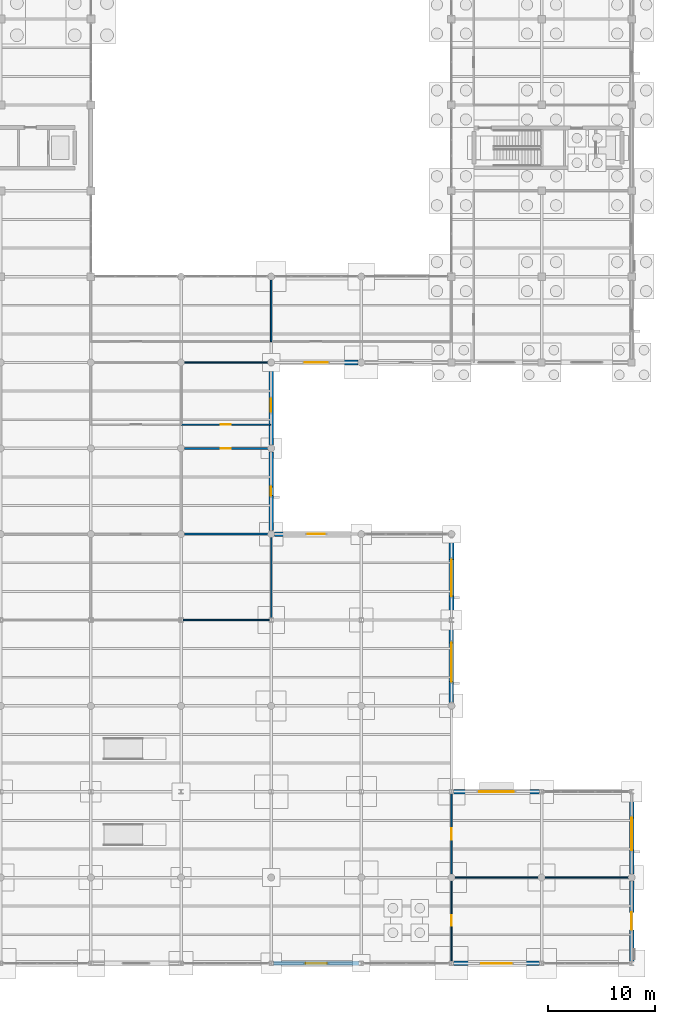
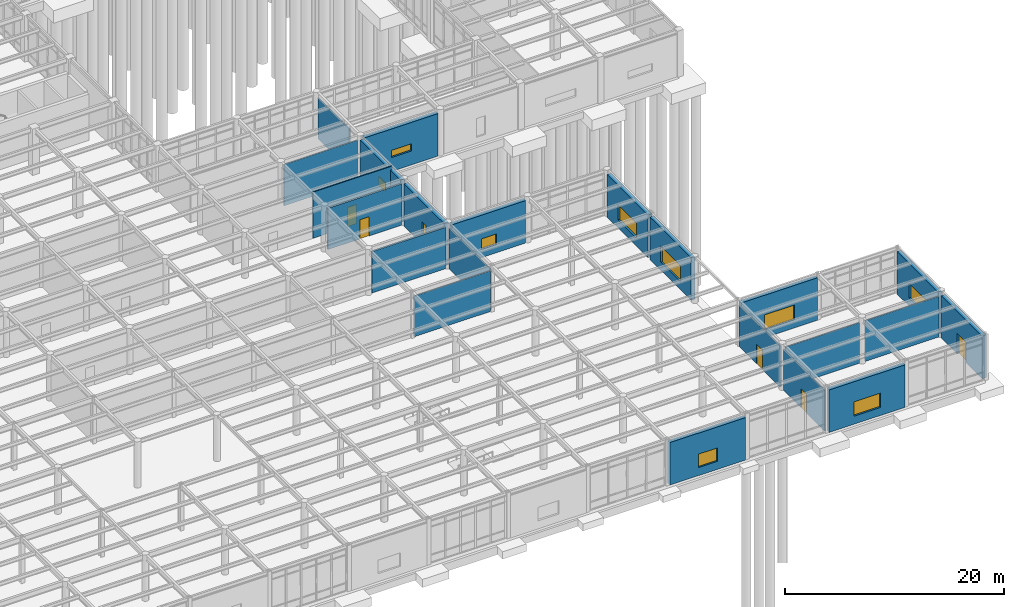
# One storey, part 84 of 138: 22 walls, 10 windows, 5 doors, 15 openings.
"""IFC4 building model written with IfcOpenShell, lengths in metres."""

from ifc_helpers import new_model, si_unit, direction, frame, frame_2d, origin, place, context, subcontext, project, spatial, rectangle, extrude, material, layer, layer_set, type_object, element, fill, save


model = new_model("IFC4")

# Units and contexts
model_context = context("Model", 3, precision=1e-05, world=origin(), true_north=direction((0.0, 1.0)))
body_context = subcontext(model_context, "Body", "Model", "MODEL_VIEW")
ifc_project = project(units=[si_unit("LENGTHUNIT", "METRE"), si_unit("AREAUNIT", "SQUARE_METRE"), si_unit("VOLUMEUNIT", "CUBIC_METRE"), si_unit("PLANEANGLEUNIT", "RADIAN"), si_unit("MASSUNIT", "GRAM", prefix="KILO")], contexts=[model_context])

# Site, building, storey
site_placement = place(None, origin())
site = spatial("IfcSite", under=ifc_project, at=site_placement, CompositionType="ELEMENT")
building_placement = place(site_placement, origin())
building = spatial("IfcBuilding", under=site, at=building_placement, Name="Kranzveld Transit Interchange", CompositionType="ELEMENT")
storey_placement = place(building_placement, origin())
storey = spatial("IfcBuildingStorey", under=building, at=storey_placement, Name="L00", CompositionType="ELEMENT", Elevation=0.0)

# Wall, opening, window
ifc_material_1 = material(Name="Dark Pretoria clinker clay plinth brick, 40 MPa", Category="masonry")
ifc_layer_1 = layer(ifc_material_1, 0.409912109375)
ifc_layer_set_1 = layer_set([ifc_layer_1], Name="Dark Pretoria clinker clay plinth brick, 40 MPa")
wall_type_1 = type_object("IfcWallType", Name="Exterior Arcade Wall Dark Clinker 410", PredefinedType="SOLIDWALL", material=ifc_layer_set_1)
wall_1_placement = place(storey_placement, frame((134.39990234375, 48.324951171875, 0.0), z_axis=(0.0, 0.0, 1.0), x_axis=(0.0, 1.0, 0.0)))
wall_1 = element("IfcWall", 1, at=wall_1_placement, inside=storey, type_object=wall_type_1, Name="L00 Clinker Facade Wall 17/G-17/H", PredefinedType="SOLIDWALL", context=body_context, shape_type="SweptSolid", body=[
    extrude(rectangle(XDim=7.35009765625, YDim=0.409912109375, at=frame_2d((3.675048828125, 0.0))), origin(), (0.0, 0.0, 1.0), 4.747314453125),
])
opening_1_placement = place(wall_1_placement, frame((3.074951171875, 0.0, 1.550048828125), z_axis=(0.0, 0.0, 1.0), x_axis=(1.0, 0.0, 0.0)))
opening_1 = element("IfcOpeningElement", 2, at=opening_1_placement, cuts=wall_1, Name="Opening W-19", PredefinedType="OPENING", context=body_context, shape_type="SweptSolid", body=[
    extrude(rectangle(XDim=1.199951171875, YDim=0.949951171875, at=frame_2d((0.60009765625, 0.47509765625))), frame((0.0, 0.21484375, 0.0), z_axis=(0.0, -1.0, 0.0), x_axis=(1.0, 0.0, 0.0)), (0.0, 0.0, 1.0), 0.429931640625),
])
ifc_material_2 = material(Name="Solar-control double glazing", Category="glass")
window_type_1 = type_object("IfcWindowType", Name="Window Sanitary Frosted 1200x950", PartitioningType="SINGLE_PANEL", PredefinedType="WINDOW", material=ifc_material_2)
window_1_placement = place(opening_1_placement, origin())
window_1 = element("IfcWindow", 3, at=window_1_placement, inside=storey, type_object=window_type_1, Name="L00 Facade Window 17/G", OverallHeight=0.949951171875, OverallWidth=1.199951171875, PartitioningType="SINGLE_PANEL", PredefinedType="WINDOW", context=body_context, shape_type="SweptSolid", body=[
    extrude(rectangle(XDim=1.199951171875, YDim=0.949951171875, at=frame_2d((0.60009765625, 0.47509765625))), frame((0.0, 0.030029296875, 0.0), z_axis=(0.0, -1.0, 0.0), x_axis=(1.0, 0.0, 0.0)), (0.0, 0.0, 1.0), 0.06005859375),
])
fill(opening_1, window_1)

wall_2_placement = place(storey_placement, frame((151.199951171875, 24.324951171875, 0.0), z_axis=(0.0, 0.0, 1.0), x_axis=(0.0, 1.0, 0.0)))
wall_2 = element("IfcWall", 4, at=wall_2_placement, inside=storey, type_object=wall_type_1, Name="L00 Clinker Facade Wall 19/D-19/E", PredefinedType="SOLIDWALL", context=body_context, shape_type="SweptSolid", body=[
    extrude(rectangle(XDim=7.478271484375, YDim=0.409912109375, at=frame_2d((3.7392578125, 0.0))), origin(), (0.0, 0.0, 1.0), 4.747314453125),
])
opening_2_placement = place(wall_2_placement, frame((1.939208984375, 0.0, 0.89990234375), z_axis=(0.0, 0.0, 1.0), x_axis=(1.0, 0.0, 0.0)))
opening_2 = element("IfcOpeningElement", 5, at=opening_2_placement, cuts=wall_2, Name="Opening W-01", PredefinedType="OPENING", context=body_context, shape_type="SweptSolid", body=[
    extrude(rectangle(XDim=3.60009765625, YDim=1.800048828125, at=frame_2d((1.800048828125, 0.89990234375))), frame((0.0, 0.21484375, 0.0), z_axis=(0.0, -1.0, 0.0), x_axis=(1.0, 0.0, 0.0)), (0.0, 0.0, 1.0), 0.429931640625),
])
ifc_material_3 = material(Name="Solar-control double glazing", Category="glass")
window_type_2 = type_object("IfcWindowType", Name="Window Ribbon Triple 3600x1800", PartitioningType="TRIPLE_PANEL_VERTICAL", PredefinedType="WINDOW", material=ifc_material_3)
window_2_placement = place(opening_2_placement, origin())
window_2 = element("IfcWindow", 6, at=window_2_placement, inside=storey, type_object=window_type_2, Name="L00 Facade Window 19/D", OverallHeight=1.800048828125, OverallWidth=3.60009765625, PartitioningType="TRIPLE_PANEL_VERTICAL", PredefinedType="WINDOW", context=body_context, shape_type="SweptSolid", body=[
    extrude(rectangle(XDim=3.60009765625, YDim=1.800048828125, at=frame_2d((1.800048828125, 0.89990234375))), frame((0.0, 0.030029296875, 0.0), z_axis=(0.0, -1.0, 0.0), x_axis=(1.0, 0.0, 0.0)), (0.0, 0.0, 1.0), 0.06005859375),
])
fill(opening_2, window_2)

wall_3_placement = place(storey_placement, frame((151.3994140625, 16.0, 0.0), z_axis=(0.0, 0.0, 1.0), x_axis=(1.0, 0.0, 0.0)))
wall_3 = element("IfcWall", 7, at=wall_3_placement, inside=storey, type_object=wall_type_1, Name="L00 Clinker Facade Wall 19/C-20/C", PredefinedType="SOLIDWALL", context=body_context, shape_type="SweptSolid", body=[
    extrude(rectangle(XDim=8.0009765625, YDim=0.409912109375, at=frame_2d((4.00048828125, 0.0))), origin(), (0.0, 0.0, 1.0), 4.740478515625),
])
opening_3_placement = place(wall_3_placement, frame((2.400390625, 0.0, 0.89990234375), z_axis=(0.0, 0.0, 1.0), x_axis=(1.0, 0.0, 0.0)))
opening_3 = element("IfcOpeningElement", 8, at=opening_3_placement, cuts=wall_3, Name="Opening W-03", PredefinedType="OPENING", context=body_context, shape_type="SweptSolid", body=[
    extrude(rectangle(XDim=3.199951171875, YDim=1.64990234375, at=frame_2d((1.60009765625, 0.824951171875))), frame((0.0, 0.21484375, 0.0), z_axis=(0.0, -1.0, 0.0), x_axis=(1.0, 0.0, 0.0)), (0.0, 0.0, 1.0), 0.429931640625),
])
ifc_material_4 = material(Name="Solar-control double glazing", Category="glass")
window_type_3 = type_object("IfcWindowType", Name="Window Ribbon Triple 3200x1650", PartitioningType="TRIPLE_PANEL_VERTICAL", PredefinedType="WINDOW", material=ifc_material_4)
window_3_placement = place(opening_3_placement, origin())
window_3 = element("IfcWindow", 9, at=window_3_placement, inside=storey, type_object=window_type_3, Name="L00 Facade Window 19/C", OverallHeight=1.64990234375, OverallWidth=3.199951171875, PartitioningType="TRIPLE_PANEL_VERTICAL", PredefinedType="WINDOW", context=body_context, shape_type="SweptSolid", body=[
    extrude(rectangle(XDim=3.199951171875, YDim=1.64990234375, at=frame_2d((1.60009765625, 0.824951171875))), frame((0.0, 0.030029296875, 0.0), z_axis=(0.0, -1.0, 0.0), x_axis=(1.0, 0.0, 0.0)), (0.0, 0.0, 1.0), 0.06005859375),
])
fill(opening_3, window_3)

wall_4_placement = place(storey_placement, frame((168.0, 8.324951171875, 0.0), z_axis=(0.0, 0.0, 1.0), x_axis=(0.0, 1.0, 0.0)))
wall_4 = element("IfcWall", 10, at=wall_4_placement, inside=storey, type_object=wall_type_1, Name="L00 Clinker Facade Wall 21/B-21/C", PredefinedType="SOLIDWALL", context=body_context, shape_type="SweptSolid", body=[
    extrude(rectangle(XDim=7.478271484375, YDim=0.409912109375, at=frame_2d((3.7392578125, 0.0))), origin(), (0.0, 0.0, 1.0), 4.747314453125),
])
opening_4_placement = place(wall_4_placement, frame((2.239013671875, 0.0, 0.89990234375), z_axis=(0.0, 0.0, 1.0), x_axis=(1.0, 0.0, 0.0)))
opening_4 = element("IfcOpeningElement", 11, at=opening_4_placement, cuts=wall_4, Name="Opening W-04", PredefinedType="OPENING", context=body_context, shape_type="SweptSolid", body=[
    extrude(rectangle(XDim=3.0, YDim=1.64990234375, at=frame_2d((1.5, 0.824951171875))), frame((0.0, 0.21484375, 0.0), z_axis=(0.0, -1.0, 0.0), x_axis=(1.0, 0.0, 0.0)), (0.0, 0.0, 1.0), 0.429931640625),
])
ifc_material_5 = material(Name="Solar-control double glazing", Category="glass")
window_type_4 = type_object("IfcWindowType", Name="Window Ribbon Double 3000x1650", PartitioningType="DOUBLE_PANEL_VERTICAL", PredefinedType="WINDOW", material=ifc_material_5)
window_4_placement = place(opening_4_placement, origin())
window_4 = element("IfcWindow", 12, at=window_4_placement, inside=storey, type_object=window_type_4, Name="L00 Facade Window 21/B", OverallHeight=1.64990234375, OverallWidth=3.0, PartitioningType="DOUBLE_PANEL_VERTICAL", PredefinedType="WINDOW", context=body_context, shape_type="SweptSolid", body=[
    extrude(rectangle(XDim=3.0, YDim=1.64990234375, at=frame_2d((1.5, 0.824951171875))), frame((0.0, 0.030029296875, 0.0), z_axis=(0.0, -1.0, 0.0), x_axis=(1.0, 0.0, 0.0)), (0.0, 0.0, 1.0), 0.06005859375),
])
fill(opening_4, window_4)

wall_5_placement = place(storey_placement, frame((134.599609375, 0.0, 0.0), z_axis=(0.0, 0.0, 1.0), x_axis=(1.0, 0.0, 0.0)))
wall_5 = element("IfcWall", 13, at=wall_5_placement, inside=storey, type_object=wall_type_1, Name="L00 Clinker Facade Wall 17/A-18/A", PredefinedType="SOLIDWALL", context=body_context, shape_type="SweptSolid", body=[
    extrude(rectangle(XDim=8.0009765625, YDim=0.409912109375, at=frame_2d((4.00048828125, 0.0))), origin(), (0.0, 0.0, 1.0), 4.740478515625),
])
opening_5_placement = place(wall_5_placement, frame((3.00048828125, 0.0, 0.89990234375), z_axis=(0.0, 0.0, 1.0), x_axis=(1.0, 0.0, 0.0)))
opening_5 = element("IfcOpeningElement", 14, at=opening_5_placement, cuts=wall_5, Name="Opening W-10", PredefinedType="OPENING", context=body_context, shape_type="SweptSolid", body=[
    extrude(rectangle(XDim=2.0, YDim=1.5, at=frame_2d((1.0, 0.75))), frame((0.0, 0.21484375, 0.0), z_axis=(0.0, -1.0, 0.0), x_axis=(1.0, 0.0, 0.0)), (0.0, 0.0, 1.0), 0.429931640625),
])
ifc_material_6 = material(Name="Solar-control double glazing", Category="glass")
window_type_5 = type_object("IfcWindowType", Name="Window Office Double 2000x1500", PartitioningType="DOUBLE_PANEL_VERTICAL", PredefinedType="WINDOW", material=ifc_material_6)
window_5_placement = place(opening_5_placement, origin())
window_5 = element("IfcWindow", 15, at=window_5_placement, inside=storey, type_object=window_type_5, Name="L00 Facade Window 17/A", OverallHeight=1.5, OverallWidth=2.0, PartitioningType="DOUBLE_PANEL_VERTICAL", PredefinedType="WINDOW", context=body_context, shape_type="SweptSolid", body=[
    extrude(rectangle(XDim=2.0, YDim=1.5, at=frame_2d((1.0, 0.75))), frame((0.0, 0.030029296875, 0.0), z_axis=(0.0, -1.0, 0.0), x_axis=(1.0, 0.0, 0.0)), (0.0, 0.0, 1.0), 0.06005859375),
])
fill(opening_5, window_5)

ifc_material_7 = material(Name="Dark Pretoria clinker clay plinth brick, 40 MPa", Category="masonry")
ifc_layer_2 = layer(ifc_material_7, 0.43994140625)
ifc_layer_set_2 = layer_set([ifc_layer_2], Name="Dark Pretoria clinker clay plinth brick, 40 MPa")
wall_type_2 = type_object("IfcWallType", Name="Exterior Plinth Wall Dark Clinker 440", PredefinedType="SOLIDWALL", material=ifc_layer_set_2)
wall_6_placement = place(storey_placement, frame((134.72509765625, 56.0, 0.0), z_axis=(0.0, 0.0, 1.0), x_axis=(1.0, 0.0, 0.0)))
wall_6 = element("IfcWall", 16, at=wall_6_placement, inside=storey, type_object=wall_type_2, Name="L00 Clinker Facade Wall 17/H-18/H", PredefinedType="SOLIDWALL", context=body_context, shape_type="SweptSolid", body=[
    extrude(rectangle(XDim=7.75, YDim=0.43994140625, at=frame_2d((3.875, 0.0))), origin(), (0.0, 0.0, 1.0), 4.740478515625),
])
opening_6_placement = place(wall_6_placement, frame((2.824951171875, 0.0, 1.550048828125), z_axis=(0.0, 0.0, 1.0), x_axis=(1.0, 0.0, 0.0)))
opening_6 = element("IfcOpeningElement", 17, at=opening_6_placement, cuts=wall_6, Name="Opening W-16", PredefinedType="OPENING", context=body_context, shape_type="SweptSolid", body=[
    extrude(rectangle(XDim=2.10009765625, YDim=0.800048828125, at=frame_2d((1.050048828125, 0.39990234375))), frame((0.0, 0.22998046875, 0.0), z_axis=(0.0, -1.0, 0.0), x_axis=(1.0, 0.0, 0.0)), (0.0, 0.0, 1.0), 0.4599609375),
])
ifc_material_8 = material(Name="Solar-control double glazing", Category="glass")
window_type_6 = type_object("IfcWindowType", Name="Window Clerestory 2100x800", PartitioningType="DOUBLE_PANEL_HORIZONTAL", PredefinedType="WINDOW", material=ifc_material_8)
window_6_placement = place(opening_6_placement, origin())
window_6 = element("IfcWindow", 18, at=window_6_placement, inside=storey, type_object=window_type_6, Name="L00 Facade Window 17/H", OverallHeight=0.800048828125, OverallWidth=2.10009765625, PartitioningType="DOUBLE_PANEL_HORIZONTAL", PredefinedType="WINDOW", context=body_context, shape_type="SweptSolid", body=[
    extrude(rectangle(XDim=2.10009765625, YDim=0.800048828125, at=frame_2d((1.050048828125, 0.39990234375))), frame((0.0, 0.030029296875, 0.0), z_axis=(0.0, -1.0, 0.0), x_axis=(1.0, 0.0, 0.0)), (0.0, 0.0, 1.0), 0.06005859375),
])
fill(opening_6, window_6)

wall_7_placement = place(storey_placement, frame((134.39990234375, 40.324951171875, 0.0), z_axis=(0.0, 0.0, 1.0), x_axis=(0.0, 1.0, 0.0)))
wall_7 = element("IfcWall", 19, at=wall_7_placement, inside=storey, type_object=wall_type_2, Name="L00 Clinker Facade Wall 17/F-17/G", PredefinedType="SOLIDWALL", context=body_context, shape_type="SweptSolid", body=[
    extrude(rectangle(XDim=7.35009765625, YDim=0.43994140625, at=frame_2d((3.675048828125, 0.0))), origin(), (0.0, 0.0, 1.0), 4.747314453125),
])
opening_7_placement = place(wall_7_placement, frame((3.27490234375, 0.0, 0.64990234375), z_axis=(0.0, 0.0, 1.0), x_axis=(1.0, 0.0, 0.0)))
opening_7 = element("IfcOpeningElement", 20, at=opening_7_placement, cuts=wall_7, Name="Opening W-18", PredefinedType="OPENING", context=body_context, shape_type="SweptSolid", body=[
    extrude(rectangle(XDim=0.800048828125, YDim=1.85009765625, at=frame_2d((0.39990234375, 0.925048828125))), frame((0.0, 0.22998046875, 0.0), z_axis=(0.0, -1.0, 0.0), x_axis=(1.0, 0.0, 0.0)), (0.0, 0.0, 1.0), 0.4599609375),
])
ifc_material_9 = material(Name="Solar-control double glazing", Category="glass")
window_type_7 = type_object("IfcWindowType", Name="Window Ladder Slot 800x1850", PartitioningType="SINGLE_PANEL", PredefinedType="WINDOW", material=ifc_material_9)
window_7_placement = place(opening_7_placement, origin())
window_7 = element("IfcWindow", 21, at=window_7_placement, inside=storey, type_object=window_type_7, Name="L00 Facade Window 17/F", OverallHeight=1.85009765625, OverallWidth=0.800048828125, PartitioningType="SINGLE_PANEL", PredefinedType="WINDOW", context=body_context, shape_type="SweptSolid", body=[
    extrude(rectangle(XDim=0.800048828125, YDim=1.85009765625, at=frame_2d((0.39990234375, 0.925048828125))), frame((0.0, 0.030029296875, 0.0), z_axis=(0.0, -1.0, 0.0), x_axis=(1.0, 0.0, 0.0)), (0.0, 0.0, 1.0), 0.06005859375),
])
fill(opening_7, window_7)

wall_8_placement = place(storey_placement, frame((134.72509765625, 40.0, 0.0), z_axis=(0.0, 0.0, 1.0), x_axis=(1.0, 0.0, 0.0)))
wall_8 = element("IfcWall", 22, at=wall_8_placement, inside=storey, type_object=wall_type_2, Name="L00 Clinker Facade Wall 17/F-18/F", PredefinedType="SOLIDWALL", context=body_context, shape_type="SweptSolid", body=[
    extrude(rectangle(XDim=7.75, YDim=0.43994140625, at=frame_2d((3.875, 0.0))), origin(), (0.0, 0.0, 1.0), 4.740478515625),
])
opening_8_placement = place(wall_8_placement, frame((3.074951171875, 0.0, 0.89990234375), z_axis=(0.0, 0.0, 1.0), x_axis=(1.0, 0.0, 0.0)))
opening_8 = element("IfcOpeningElement", 23, at=opening_8_placement, cuts=wall_8, Name="Opening W-20", PredefinedType="OPENING", context=body_context, shape_type="SweptSolid", body=[
    extrude(rectangle(XDim=1.60009765625, YDim=1.199951171875, at=frame_2d((0.800048828125, 0.60009765625))), frame((0.0, 0.22998046875, 0.0), z_axis=(0.0, -1.0, 0.0), x_axis=(1.0, 0.0, 0.0)), (0.0, 0.0, 1.0), 0.4599609375),
])
ifc_material_10 = material(Name="Solar-control double glazing", Category="glass")
window_type_8 = type_object("IfcWindowType", Name="Window Technical Glazed 1600x1200", PartitioningType="DOUBLE_PANEL_VERTICAL", PredefinedType="WINDOW", material=ifc_material_10)
window_8_placement = place(opening_8_placement, origin())
window_8 = element("IfcWindow", 24, at=window_8_placement, inside=storey, type_object=window_type_8, Name="L00 Facade Window 17/F", OverallHeight=1.199951171875, OverallWidth=1.60009765625, PartitioningType="DOUBLE_PANEL_VERTICAL", PredefinedType="WINDOW", context=body_context, shape_type="SweptSolid", body=[
    extrude(rectangle(XDim=1.60009765625, YDim=1.199951171875, at=frame_2d((0.800048828125, 0.60009765625))), frame((0.0, 0.030029296875, 0.0), z_axis=(0.0, -1.0, 0.0), x_axis=(1.0, 0.0, 0.0)), (0.0, 0.0, 1.0), 0.06005859375),
])
fill(opening_8, window_8)

wall_9_placement = place(storey_placement, frame((151.199951171875, 32.19677734375, 0.0), z_axis=(0.0, 0.0, 1.0), x_axis=(0.0, 1.0, 0.0)))
wall_9 = element("IfcWall", 25, at=wall_9_placement, inside=storey, type_object=wall_type_2, Name="L00 Clinker Facade Wall 19/E-19/F", PredefinedType="SOLIDWALL", context=body_context, shape_type="SweptSolid", body=[
    extrude(rectangle(XDim=7.478271484375, YDim=0.43994140625, at=frame_2d((3.7392578125, 0.0))), origin(), (0.0, 0.0, 1.0), 4.747314453125),
])
opening_9_placement = place(wall_9_placement, frame((2.0390625, 0.0, 0.89990234375), z_axis=(0.0, 0.0, 1.0), x_axis=(1.0, 0.0, 0.0)))
opening_9 = element("IfcOpeningElement", 26, at=opening_9_placement, cuts=wall_9, Name="Opening W-02", PredefinedType="OPENING", context=body_context, shape_type="SweptSolid", body=[
    extrude(rectangle(XDim=3.39990234375, YDim=1.699951171875, at=frame_2d((1.699951171875, 0.85009765625))), frame((0.0, 0.22998046875, 0.0), z_axis=(0.0, -1.0, 0.0), x_axis=(1.0, 0.0, 0.0)), (0.0, 0.0, 1.0), 0.4599609375),
])
ifc_material_11 = material(Name="Solar-control double glazing", Category="glass")
window_type_9 = type_object("IfcWindowType", Name="Window Ribbon Triple 3400x1700", PartitioningType="TRIPLE_PANEL_VERTICAL", PredefinedType="WINDOW", material=ifc_material_11)
window_9_placement = place(opening_9_placement, origin())
window_9 = element("IfcWindow", 27, at=window_9_placement, inside=storey, type_object=window_type_9, Name="L00 Facade Window 19/E", OverallHeight=1.699951171875, OverallWidth=3.39990234375, PartitioningType="TRIPLE_PANEL_VERTICAL", PredefinedType="WINDOW", context=body_context, shape_type="SweptSolid", body=[
    extrude(rectangle(XDim=3.39990234375, YDim=1.699951171875, at=frame_2d((1.699951171875, 0.85009765625))), frame((0.0, 0.030029296875, 0.0), z_axis=(0.0, -1.0, 0.0), x_axis=(1.0, 0.0, 0.0)), (0.0, 0.0, 1.0), 0.06005859375),
])
fill(opening_9, window_9)

# Wall, opening, door
wall_10_placement = place(storey_placement, frame((168.0, 0.19677734375, 0.0), z_axis=(0.0, 0.0, 1.0), x_axis=(0.0, 1.0, 0.0)))
wall_10 = element("IfcWall", 28, at=wall_10_placement, inside=storey, type_object=wall_type_2, Name="L00 Clinker Facade Wall 21/A-21/B", PredefinedType="SOLIDWALL", context=body_context, shape_type="SweptSolid", body=[
    extrude(rectangle(XDim=7.478271484375, YDim=0.43994140625, at=frame_2d((3.7392578125, 0.0))), origin(), (0.0, 0.0, 1.0), 4.747314453125),
])
opening_10_placement = place(wall_10_placement, frame((4.56396484375, 0.0, 0.0), z_axis=(0.0, 0.0, 1.0), x_axis=(-1.0, 0.0, 0.0)))
opening_10 = element("IfcOpeningElement", 29, at=opening_10_placement, cuts=wall_10, Name="Opening ED-00-11", PredefinedType="OPENING", context=body_context, shape_type="SweptSolid", body=[
    extrude(rectangle(XDim=1.64990234375, YDim=2.300048828125, at=frame_2d((0.824951171875, 1.14990234375))), frame((0.0, 0.22998046875, 0.0), z_axis=(0.0, -1.0, 0.0), x_axis=(1.0, 0.0, 0.0)), (0.0, 0.0, 1.0), 0.4599609375),
])
ifc_material_12 = material(Name="Bronze-anodised thermally broken aluminium", Category="aluminium")
door_type_1 = type_object("IfcDoorType", Name="Shopfront Glazed Entrance Door 1650x2300", OperationType="NOTDEFINED", PredefinedType="DOOR", material=ifc_material_12)
door_1_placement = place(opening_10_placement, origin())
door_1 = element("IfcDoor", 30, at=door_1_placement, inside=storey, type_object=door_type_1, Name="L00 Entrance/Exit Door 21/A", OperationType="DOUBLE_DOOR_SINGLE_SWING", OverallHeight=2.300048828125, OverallWidth=1.64990234375, PredefinedType="DOOR", context=body_context, shape_type="SweptSolid", body=[
    extrude(rectangle(XDim=1.64990234375, YDim=2.300048828125, at=frame_2d((0.824951171875, 1.14990234375))), frame((0.0, 0.02490234375, 0.0), z_axis=(0.0, -1.0, 0.0), x_axis=(1.0, 0.0, 0.0)), (0.0, 0.0, 1.0), 0.050048828125),
])
fill(opening_10, door_1)

# Wall, opening, window
wall_11_placement = place(storey_placement, frame((151.3994140625, 0.0, 0.0), z_axis=(0.0, 0.0, 1.0), x_axis=(1.0, 0.0, 0.0)))
wall_11 = element("IfcWall", 31, at=wall_11_placement, inside=storey, type_object=wall_type_2, Name="L00 Clinker Facade Wall 19/A-20/A", PredefinedType="SOLIDWALL", context=body_context, shape_type="SweptSolid", body=[
    extrude(rectangle(XDim=8.0009765625, YDim=0.43994140625, at=frame_2d((4.00048828125, 0.0))), origin(), (0.0, 0.0, 1.0), 4.740478515625),
])
opening_11_placement = place(wall_11_placement, frame((2.6005859375, 0.0, 0.89990234375), z_axis=(0.0, 0.0, 1.0), x_axis=(1.0, 0.0, 0.0)))
opening_11 = element("IfcOpeningElement", 32, at=opening_11_placement, cuts=wall_11, Name="Opening W-05", PredefinedType="OPENING", context=body_context, shape_type="SweptSolid", body=[
    extrude(rectangle(XDim=2.800048828125, YDim=1.60009765625, at=frame_2d((1.39990234375, 0.800048828125))), frame((0.0, 0.22998046875, 0.0), z_axis=(0.0, -1.0, 0.0), x_axis=(1.0, 0.0, 0.0)), (0.0, 0.0, 1.0), 0.4599609375),
])
ifc_material_13 = material(Name="Solar-control double glazing", Category="glass")
window_type_10 = type_object("IfcWindowType", Name="Window Ribbon Double 2800x1600", PartitioningType="DOUBLE_PANEL_VERTICAL", PredefinedType="WINDOW", material=ifc_material_13)
window_10_placement = place(opening_11_placement, origin())
window_10 = element("IfcWindow", 33, at=window_10_placement, inside=storey, type_object=window_type_10, Name="L00 Facade Window 19/A", OverallHeight=1.60009765625, OverallWidth=2.800048828125, PartitioningType="DOUBLE_PANEL_VERTICAL", PredefinedType="WINDOW", context=body_context, shape_type="SweptSolid", body=[
    extrude(rectangle(XDim=2.800048828125, YDim=1.60009765625, at=frame_2d((1.39990234375, 0.800048828125))), frame((0.0, 0.030029296875, 0.0), z_axis=(0.0, -1.0, 0.0), x_axis=(1.0, 0.0, 0.0)), (0.0, 0.0, 1.0), 0.06005859375),
])
fill(opening_11, window_10)

# Wall, opening, door
ifc_material_14 = material(Name="Clay masonry unit wall, 20 MPa", Category="masonry")
ifc_layer_3 = layer(ifc_material_14, 0.14990234375)
ifc_layer_set_3 = layer_set([ifc_layer_3], Name="Clay masonry unit wall, 20 MPa")
wall_type_3 = type_object("IfcWallType", Name="Fire Rated Partition Wall 150 EI60", PredefinedType="PARTITIONING", material=ifc_layer_set_3)
wall_12_placement = place(storey_placement, frame((151.199951171875, 8.31494140625, 0.0), z_axis=(0.0, 0.0, 1.0), x_axis=(0.0, 1.0, 0.0)))
wall_12 = element("IfcWall", 34, at=wall_12_placement, inside=storey, type_object=wall_type_3, Name="L00 Partition IW-L00-L00V2-FRT-016-0", PredefinedType="PARTITIONING", context=body_context, shape_type="SweptSolid", body=[
    extrude(rectangle(XDim=7.498291015625, YDim=0.14990234375, at=frame_2d((3.7490234375, 0.0))), origin(), (0.0, 0.0, 1.0), 4.54248046875),
])
opening_12_placement = place(wall_12_placement, frame((4.26513671875, 0.0, 0.0), z_axis=(0.0, 0.0, 1.0), x_axis=(-1.0, 0.0, 0.0)))
opening_12 = element("IfcOpeningElement", 35, at=opening_12_placement, cuts=wall_12, Name="Opening D-016", PredefinedType="OPENING", context=body_context, shape_type="SweptSolid", body=[
    extrude(rectangle(XDim=1.080078125, YDim=2.179931640625, at=frame_2d((0.5400390625, 1.08984375))), frame((0.0, 0.0849609375, 0.0), z_axis=(0.0, -1.0, 0.0), x_axis=(1.0, 0.0, 0.0)), (0.0, 0.0, 1.0), 0.169921875),
])
ifc_material_15 = material(Name="Steel S355JR", Category="steel")
door_type_2 = type_object("IfcDoorType", Name="Fire Rated Plant Door 1080x2180 FD60S", OperationType="NOTDEFINED", PredefinedType="DOOR", material=ifc_material_15)
door_2_placement = place(opening_12_placement, origin())
door_2 = element("IfcDoor", 36, at=door_2_placement, inside=storey, type_object=door_type_2, Name="L00 Interior Door D-016", OperationType="SINGLE_SWING_RIGHT", OverallHeight=2.179931640625, OverallWidth=1.080078125, PredefinedType="DOOR", context=body_context, shape_type="SweptSolid", body=[
    extrude(rectangle(XDim=1.080078125, YDim=2.179931640625, at=frame_2d((0.5400390625, 1.08984375))), frame((0.0, 0.02490234375, 0.0), z_axis=(0.0, -1.0, 0.0), x_axis=(1.0, 0.0, 0.0)), (0.0, 0.0, 1.0), 0.050048828125),
])
fill(opening_12, door_2)

ifc_material_16 = material(Name="Clay masonry unit wall, 20 MPa", Category="masonry")
ifc_layer_4 = layer(ifc_material_16, 0.125)
ifc_layer_set_4 = layer_set([ifc_layer_4], Name="Clay masonry unit wall, 20 MPa")
wall_type_4 = type_object("IfcWallType", Name="Internal Blockwork Partition 125", PredefinedType="PARTITIONING", material=ifc_layer_set_4)
wall_13_placement = place(storey_placement, frame((151.199951171875, 0.186767578125, 0.0), z_axis=(0.0, 0.0, 1.0), x_axis=(0.0, 1.0, 0.0)))
wall_13 = element("IfcWall", 37, at=wall_13_placement, inside=storey, type_object=wall_type_4, Name="L00 Partition IW-L00-L00V2-FRT-015-0", PredefinedType="PARTITIONING", context=body_context, shape_type="SweptSolid", body=[
    extrude(rectangle(XDim=7.498291015625, YDim=0.125, at=frame_2d((3.7490234375, 0.0))), origin(), (0.0, 0.0, 1.0), 4.54248046875),
])
opening_13_placement = place(wall_13_placement, frame((4.293212890625, 0.0, 0.0), z_axis=(0.0, 0.0, 1.0), x_axis=(-1.0, 0.0, 0.0)))
opening_13 = element("IfcOpeningElement", 38, at=opening_13_placement, cuts=wall_13, Name="Opening D-015", PredefinedType="OPENING", context=body_context, shape_type="SweptSolid", body=[
    extrude(rectangle(XDim=0.97998046875, YDim=2.14990234375, at=frame_2d((0.489990234375, 1.074951171875))), frame((0.0, 0.072509765625, 0.0), z_axis=(0.0, -1.0, 0.0), x_axis=(1.0, 0.0, 0.0)), (0.0, 0.0, 1.0), 0.14501953125),
])
ifc_material_17 = material(Name="Bronze-anodised thermally broken aluminium", Category="aluminium")
door_type_3 = type_object("IfcDoorType", Name="Retail Back-of-House Door 980x2150", OperationType="NOTDEFINED", PredefinedType="DOOR", material=ifc_material_17)
door_3_placement = place(opening_13_placement, origin())
door_3 = element("IfcDoor", 39, at=door_3_placement, inside=storey, type_object=door_type_3, Name="L00 Interior Door D-015", OperationType="SINGLE_SWING_LEFT", OverallHeight=2.14990234375, OverallWidth=0.97998046875, PredefinedType="DOOR", context=body_context, shape_type="SweptSolid", body=[
    extrude(rectangle(XDim=0.97998046875, YDim=2.14990234375, at=frame_2d((0.489990234375, 1.074951171875))), frame((0.0, 0.02490234375, 0.0), z_axis=(0.0, -1.0, 0.0), x_axis=(1.0, 0.0, 0.0)), (0.0, 0.0, 1.0), 0.050048828125),
])
fill(opening_13, door_3)

# Walls
for number, where, z_axis, x_axis, name in (
    (40, (151.514892578125, 8.0, 0.0), (0.0, 0.0, 1.0), (1.0, 0.0, 0.0), "L00 Partition IW-L00-L00V2-N-015-0"),
    (41, (159.9150390625, 8.0, 0.0), (0.0, 0.0, 1.0), (1.0, 0.0, 0.0), "L00 Partition IW-L00-L00V2-N-015-1"),
):
    element("IfcWall", number, at=place(storey_placement, frame(where, z_axis=z_axis, x_axis=x_axis)), inside=storey, type_object=wall_type_4, Name=name, PredefinedType="PARTITIONING", context=body_context, shape_type="SweptSolid", body=[
        extrude(rectangle(XDim=7.77001953125, YDim=0.125, at=frame_2d((3.885009765625, 0.0))), origin(), (0.0, 0.0, 1.0), 4.53271484375),
    ])
wall_14_placement = place(storey_placement, frame((134.39990234375, 57.949951171875, 0.0), z_axis=(0.0, 0.0, 1.0), x_axis=(0.0, 1.0, 0.0)))
element("IfcWall", 42, at=wall_14_placement, inside=storey, type_object=wall_type_4, Name="L00 Partition IW-L00-L00V4S-E-027-0", PredefinedType="PARTITIONING", context=body_context, shape_type="SweptSolid", body=[
    extrude(rectangle(XDim=5.735107421875, YDim=0.125, at=frame_2d((2.86767578125, 0.0))), origin(), (0.0, 0.0, 1.0), 4.54248046875),
])

# Wall, opening, door
ifc_material_18 = material(Name="Clay masonry unit wall, 20 MPa", Category="masonry")
ifc_layer_5 = layer(ifc_material_18, 0.114990234375)
ifc_layer_set_5 = layer_set([ifc_layer_5], Name="Clay masonry unit wall, 20 MPa")
wall_type_5 = type_object("IfcWallType", Name="Internal Masonry Partition 115", PredefinedType="PARTITIONING", material=ifc_layer_set_5)
wall_15_placement = place(storey_placement, frame((126.0, 50.199951171875, 0.0), z_axis=(0.0, 0.0, 1.0), x_axis=(1.0, 0.0, 0.0)))
wall_15 = element("IfcWall", 43, at=wall_15_placement, inside=storey, type_object=wall_type_5, Name="L00 Partition IW-L00-L00V1C-FRT-045-0", PredefinedType="PARTITIONING", context=body_context, shape_type="SweptSolid", body=[
    extrude(rectangle(XDim=8.360107421875, YDim=0.114990234375, at=frame_2d((4.18017578125, 0.0))), origin(), (0.0, 0.0, 1.0), 5.14990234375),
])
opening_14_placement = place(wall_15_placement, frame((3.699951171875, 0.0, 0.0), z_axis=(0.0, 0.0, 1.0), x_axis=(1.0, 0.0, 0.0)))
opening_14 = element("IfcOpeningElement", 44, at=opening_14_placement, cuts=wall_15, Name="Opening D-045", PredefinedType="OPENING", context=body_context, shape_type="SweptSolid", body=[
    extrude(rectangle(XDim=0.949951171875, YDim=2.14990234375, at=frame_2d((0.47509765625, 1.074951171875))), frame((0.0, 0.0673828125, 0.0), z_axis=(0.0, -1.0, 0.0), x_axis=(1.0, 0.0, 0.0)), (0.0, 0.0, 1.0), 0.135009765625),
])
ifc_material_19 = material(Name="Bronze-anodised thermally broken aluminium", Category="aluminium")
door_type_4 = type_object("IfcDoorType", Name="Internal Office Door 950x2150", OperationType="NOTDEFINED", PredefinedType="DOOR", material=ifc_material_19)
door_4_placement = place(opening_14_placement, origin())
door_4 = element("IfcDoor", 45, at=door_4_placement, inside=storey, type_object=door_type_4, Name="L00 Interior Door D-045", OperationType="SINGLE_SWING_RIGHT", OverallHeight=2.14990234375, OverallWidth=0.949951171875, PredefinedType="DOOR", context=body_context, shape_type="SweptSolid", body=[
    extrude(rectangle(XDim=0.949951171875, YDim=2.14990234375, at=frame_2d((0.47509765625, 1.074951171875))), frame((0.0, 0.02490234375, 0.0), z_axis=(0.0, -1.0, 0.0), x_axis=(1.0, 0.0, 0.0)), (0.0, 0.0, 1.0), 0.050048828125),
])
fill(opening_14, door_4)

# Walls
wall_16_placement = place(storey_placement, frame((126.31494140625, 56.0, 0.0), z_axis=(0.0, 0.0, 1.0), x_axis=(1.0, 0.0, 0.0)))
element("IfcWall", 46, at=wall_16_placement, inside=storey, type_object=wall_type_5, Name="L00 Partition IW-L00-L00V1C-BCK-045-0", PredefinedType="PARTITIONING", context=body_context, shape_type="SweptSolid", body=[
    extrude(rectangle(XDim=7.77001953125, YDim=0.114990234375, at=frame_2d((3.885009765625, 0.0))), origin(), (0.0, 0.0, 1.0), 4.60546875),
])
wall_17_placement = place(storey_placement, frame((126.189453125, 32.0, 0.0), z_axis=(0.0, 0.0, 1.0), x_axis=(1.0, 0.0, 0.0)))
element("IfcWall", 47, at=wall_17_placement, inside=storey, type_object=wall_type_5, Name="L00 Partition IW-L00-L00V2E-BCK-047-1", PredefinedType="PARTITIONING", context=body_context, shape_type="SweptSolid", body=[
    extrude(rectangle(XDim=8.02099609375, YDim=0.114990234375, at=frame_2d((4.010498046875, 0.0))), origin(), (0.0, 0.0, 1.0), 4.53271484375),
])
wall_18_placement = place(storey_placement, frame((134.39990234375, 32.186767578125, 0.0), z_axis=(0.0, 0.0, 1.0), x_axis=(0.0, 1.0, 0.0)))
element("IfcWall", 48, at=wall_18_placement, inside=storey, type_object=wall_type_5, Name="L00 Partition IW-L00-L00V2E-E-047-0", PredefinedType="PARTITIONING", context=body_context, shape_type="SweptSolid", body=[
    extrude(rectangle(XDim=7.498291015625, YDim=0.114990234375, at=frame_2d((3.7490234375, 0.0))), origin(), (0.0, 0.0, 1.0), 4.54248046875),
])

# Wall, opening, door
ifc_material_20 = material(Name="Clay masonry unit wall, 20 MPa", Category="masonry")
ifc_layer_6 = layer(ifc_material_20, 0.18994140625)
ifc_layer_set_6 = layer_set([ifc_layer_6], Name="Clay masonry unit wall, 20 MPa")
wall_type_6 = type_object("IfcWallType", Name="Sanitary Plumbing Wall 190", PredefinedType="PLUMBINGWALL", material=ifc_layer_set_6)
wall_19_placement = place(storey_placement, frame((126.31494140625, 48.0, 0.0), z_axis=(0.0, 0.0, 1.0), x_axis=(1.0, 0.0, 0.0)))
wall_19 = element("IfcWall", 49, at=wall_19_placement, inside=storey, type_object=wall_type_6, Name="L00 Partition IW-L00-L00V1WC-FRT-010-0", PredefinedType="PLUMBINGWALL", context=body_context, shape_type="SweptSolid", body=[
    extrude(rectangle(XDim=7.77001953125, YDim=0.18994140625, at=frame_2d((3.885009765625, 0.0))), origin(), (0.0, 0.0, 1.0), 4.60546875),
])
opening_15_placement = place(wall_19_placement, frame((4.3349609375, 0.0, 0.0), z_axis=(0.0, 0.0, 1.0), x_axis=(-1.0, 0.0, 0.0)))
opening_15 = element("IfcOpeningElement", 50, at=opening_15_placement, cuts=wall_19, Name="Opening D-010", PredefinedType="OPENING", context=body_context, shape_type="SweptSolid", body=[
    extrude(rectangle(XDim=0.949951171875, YDim=2.14990234375, at=frame_2d((0.47509765625, 1.074951171875))), frame((0.0, 0.10498046875, 0.0), z_axis=(0.0, -1.0, 0.0), x_axis=(1.0, 0.0, 0.0)), (0.0, 0.0, 1.0), 0.2099609375),
])
ifc_material_21 = material(Name="Bronze-anodised thermally broken aluminium", Category="aluminium")
door_type_5 = type_object("IfcDoorType", Name="Accessible WC Door 950x2150", OperationType="NOTDEFINED", PredefinedType="DOOR", material=ifc_material_21)
door_5_placement = place(opening_15_placement, origin())
door_5 = element("IfcDoor", 51, at=door_5_placement, inside=storey, type_object=door_type_5, Name="L00 Interior Door D-010", OperationType="SINGLE_SWING_LEFT", OverallHeight=2.14990234375, OverallWidth=0.949951171875, PredefinedType="DOOR", context=body_context, shape_type="SweptSolid", body=[
    extrude(rectangle(XDim=0.949951171875, YDim=2.14990234375, at=frame_2d((0.47509765625, 1.074951171875))), frame((0.0, 0.02490234375, 0.0), z_axis=(0.0, -1.0, 0.0), x_axis=(1.0, 0.0, 0.0)), (0.0, 0.0, 1.0), 0.050048828125),
])
fill(opening_15, door_5)

# Wall
wall_20_placement = place(storey_placement, frame((126.31494140625, 40.0, 0.0), z_axis=(0.0, 0.0, 1.0), x_axis=(1.0, 0.0, 0.0)))
element("IfcWall", 52, at=wall_20_placement, inside=storey, type_object=wall_type_6, Name="L00 Partition IW-L00-L00V1WC-BCK-010-0", PredefinedType="PLUMBINGWALL", context=body_context, shape_type="SweptSolid", body=[
    extrude(rectangle(XDim=7.77001953125, YDim=0.18994140625, at=frame_2d((3.885009765625, 0.0))), origin(), (0.0, 0.0, 1.0), 4.60546875),
])

save(model, "model.ifc")
